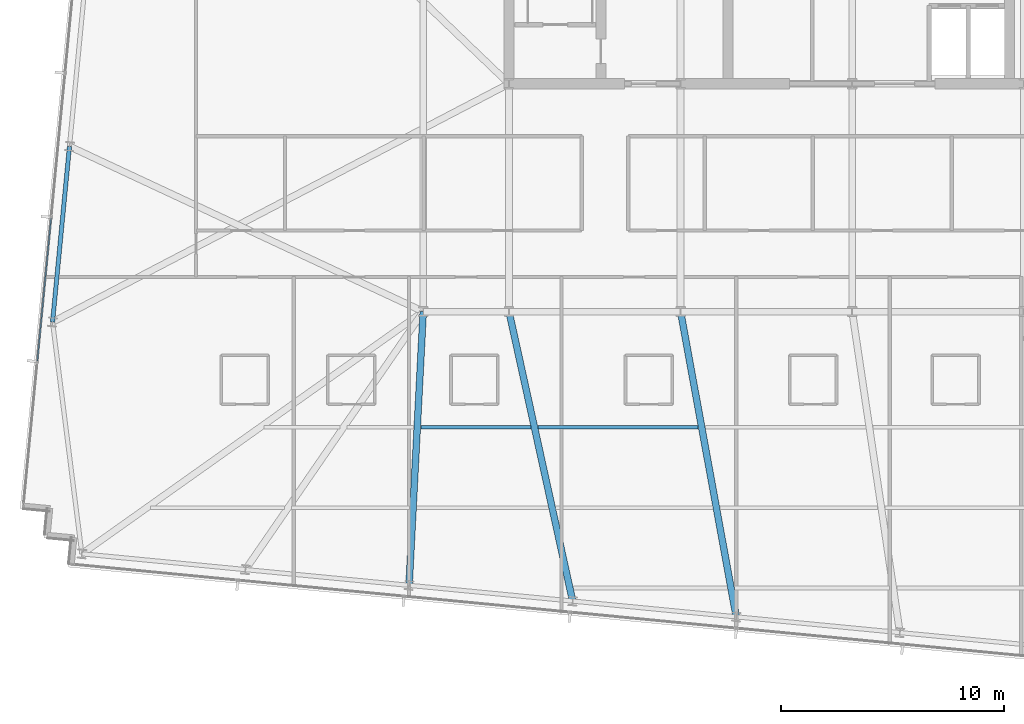
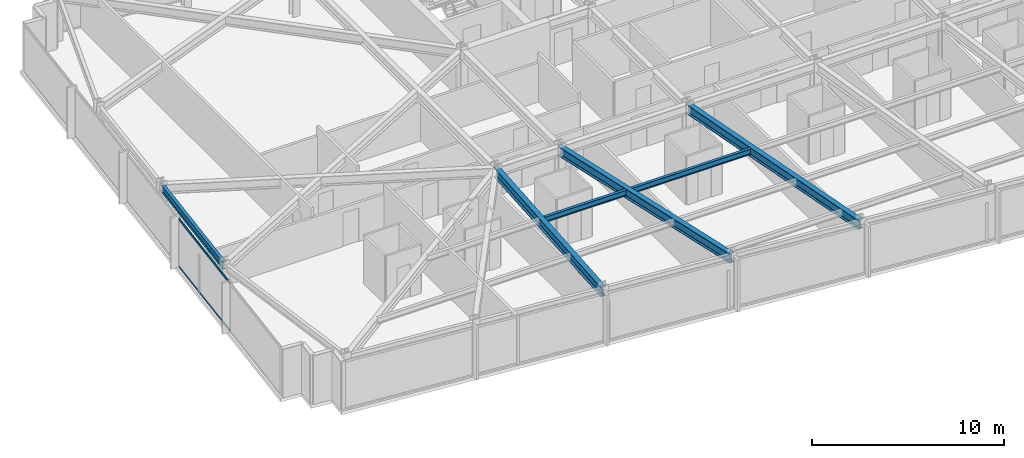
# One storey, part 7 of 37: 6 beams, 2 members, 1 element without a shape of its own.
"""IFC4 building model written with IfcOpenShell, lengths in metres."""

import ifcopenshell
import ifcopenshell.guid

model = None  # the IFC model being written
_history = None  # IfcOwnerHistory: only IFC2X3 demands one
_inside = {}  # id of a spatial element -> (the spatial element, [elements in it])
_under = {}  # id of a project, library or spatial element -> (it, [spatial elements below it])
_declared = {}  # id of a project -> (the project, [libraries it declares])
_typed = {}  # id of a type object -> (the type object, [elements of that type])
_made_of = {}  # id of a material, layer set ... -> (it, [elements and type objects made of it])


def new_model(schema):
    """Start an empty IFC model of exactly this schema.

    Asked for "IFC4X3", IfcOpenShell would pick the latest addendum, in which some entities
    have other attributes; the version numbers below select the first issue.
    IFC2X3 requires an IfcOwnerHistory on every rooted entity: one is made here for all.
    """
    global model, _history
    if schema == "IFC4X3":
        model = ifcopenshell.file(schema_version=(4, 3, 0, 0))
    else:
        model = ifcopenshell.file(schema=schema)
    _inside.clear()
    _under.clear()
    _declared.clear()
    _typed.clear()
    _made_of.clear()
    _history = None
    if model.schema == "IFC2X3":
        org = make("IfcOrganization", Name="unknown")
        user = make(
            "IfcPersonAndOrganization",
            ThePerson=make("IfcPerson", FamilyName="unknown"),
            TheOrganization=org,
        )
        app = make(
            "IfcApplication",
            ApplicationDeveloper=org,
            Version="unknown",
            ApplicationFullName="unknown",
            ApplicationIdentifier="unknown",
        )
        _history = make(
            "IfcOwnerHistory",
            OwningUser=user,
            OwningApplication=app,
            ChangeAction="ADDED",
            CreationDate=0,
        )
    return model


def make(cls, **values):
    """One entity of the class cls with the attributes given. An attribute that is None is left unset."""
    return model.create_entity(
        cls, **{name: value for name, value in values.items() if value is not None}
    )


def rooted(cls, **values):
    """An entity with a GlobalId (a new one), such as an element, a storey or a relation."""
    return make(cls, GlobalId=ifcopenshell.guid.new(), OwnerHistory=_history, **values)


def si_unit(unit_type, name, prefix=None):
    """IfcSIUnit, for example si_unit("LENGTHUNIT", "METRE", prefix="MILLI")."""
    return make("IfcSIUnit", UnitType=unit_type, Prefix=prefix, Name=name)


def assignment(units):
    """IfcUnitAssignment: the units of a project."""
    return None if units is None else make("IfcUnitAssignment", Units=units)


def point(xyz):
    """IfcCartesianPoint."""
    return None if xyz is None else make("IfcCartesianPoint", Coordinates=xyz)


def direction(xyz):
    """IfcDirection."""
    return None if xyz is None else make("IfcDirection", DirectionRatios=xyz)


def frame(location, z_axis=None, x_axis=None):
    """IfcAxis2Placement3D, a coordinate frame: its origin and axes. An axis left out is left unset."""
    return make(
        "IfcAxis2Placement3D",
        Location=point(location),
        Axis=direction(z_axis),
        RefDirection=direction(x_axis),
    )


def frame_2d(location, x_axis=None):
    """IfcAxis2Placement2D, a coordinate frame in the plane: its origin and x axis."""
    return make(
        "IfcAxis2Placement2D", Location=point(location), RefDirection=direction(x_axis)
    )


def origin():
    """The frame at (0, 0, 0) with its axes left unset."""
    return frame((0.0, 0.0, 0.0))


def origin_2d():
    """The frame at (0, 0) in the plane with its x axis left unset."""
    return frame_2d((0.0, 0.0))


def place(relative_to, where):
    """IfcLocalPlacement: puts the frame where relative to a parent placement (None: the world)."""
    return make(
        "IfcLocalPlacement", PlacementRelTo=relative_to, RelativePlacement=where
    )


def context(
    kind, dimensions, precision=None, world=None, true_north=None, identifier=None
):
    """IfcGeometricRepresentationContext, for example the 3D "Model" context."""
    return make(
        "IfcGeometricRepresentationContext",
        ContextIdentifier=identifier,
        ContextType=kind,
        CoordinateSpaceDimension=dimensions,
        Precision=precision,
        WorldCoordinateSystem=world,
        TrueNorth=true_north,
    )


def subcontext(parent, identifier, kind, view, scale=None):
    """IfcGeometricRepresentationSubContext, for example "Body" below "Model"."""
    return make(
        "IfcGeometricRepresentationSubContext",
        ContextIdentifier=identifier,
        ContextType=kind,
        ParentContext=parent,
        TargetScale=scale,
        TargetView=view,
    )


def project(units=None, contexts=None):
    """IfcProject with its units and contexts."""
    return rooted(
        "IfcProject",
        Name="project",
        RepresentationContexts=contexts,
        UnitsInContext=assignment(units),
    )


def spatial(cls, under=None, at=None, **own):
    """A site, building, storey or space (cls), placed at a placement, below another one or the project."""
    s = rooted(cls, ObjectPlacement=at, **own)
    if under is not None:
        _under.setdefault(under.id(), (under, []))[1].append(s)
    return s


def profile(cls, at=None, kind="AREA", **sizes):
    """A parametric profile (cls). Its sizes go by their IFC names, for example OverallWidth=200.0."""
    return make(cls, ProfileType=kind, Position=at, **sizes)


def hollow_rectangle(**sizes):
    """IfcRectangleHollowProfileDef."""
    return profile("IfcRectangleHollowProfileDef", **sizes)


def i_section(**sizes):
    """IfcIShapeProfileDef."""
    return profile("IfcIShapeProfileDef", **sizes)


def extrude(swept, where, along, depth):
    """IfcExtrudedAreaSolid: the profile swept, set in the frame where, extruded along a direction by depth."""
    return make(
        "IfcExtrudedAreaSolid",
        SweptArea=swept,
        Position=where,
        ExtrudedDirection=direction(along),
        Depth=depth,
    )


def shape(context_of_items, identifier, shape_type, items):
    """IfcShapeRepresentation: the items that make up one representation, for example the "Body"."""
    return make(
        "IfcShapeRepresentation",
        ContextOfItems=context_of_items,
        RepresentationIdentifier=identifier,
        RepresentationType=shape_type,
        Items=items,
    )


def material(Name=None, Category=None):
    """IfcMaterial."""
    return make("IfcMaterial", Name=Name, Category=Category)


def material_profile(
    of_material, cross_section, Name=None, Category=None, Priority=None
):
    """IfcMaterialProfile: a cross section and its material."""
    return make(
        "IfcMaterialProfile",
        Name=Name,
        Material=of_material,
        Profile=cross_section,
        Priority=Priority,
        Category=Category,
    )


def profile_set(profiles, Name=None, composite=None):
    """IfcMaterialProfileSet."""
    return make(
        "IfcMaterialProfileSet",
        Name=Name,
        MaterialProfiles=profiles,
        CompositeProfile=composite,
    )


def made_of(thing, what):
    """Note that an element or type object is made of a material, layer set ...; save() writes the relation."""
    if what is not None:
        _made_of.setdefault(what.id(), (what, []))[1].append(thing)
    return thing


def type_object(cls, material=None, **own):
    """A type object (cls), such as IfcWallType, which elements share."""
    return made_of(rooted(cls, **own), material)


def element(
    cls,
    number,
    at=None,
    inside=None,
    cuts=None,
    type_object=None,
    material=None,
    context=None,
    identifier="Body",
    shape_type=None,
    held_by="IfcProductDefinitionShape",
    body=None,
    shapes=None,
    **own,
):
    """One element of the class cls, such as IfcWall. Its Tag is "e" and its number.

    at: its placement. inside: the storey or other place that contains it. cuts: it is an
    opening in that element (IfcRelVoidsElement). A single representation is given by context,
    identifier, shape_type and body (its items); several are given by shapes. held_by: the class
    of the entity that holds the representations. save() writes the other relations.
    """
    e = rooted(cls, Tag="e%d" % number, ObjectPlacement=at, **own)
    if body is not None:
        shapes = [shape(context, identifier, shape_type, body)]
    if shapes is not None:
        e.Representation = make(held_by, Representations=shapes)
    if inside is not None:
        _inside.setdefault(inside.id(), (inside, []))[1].append(e)
    if cuts is not None:
        rooted(
            "IfcRelVoidsElement", RelatingBuildingElement=cuts, RelatedOpeningElement=e
        )
    if type_object is not None:
        _typed.setdefault(type_object.id(), (type_object, []))[1].append(e)
    return made_of(e, material)


def aggregate(whole, parts):
    """IfcRelAggregates: a whole, such as a stair, and the parts it consists of."""
    return rooted("IfcRelAggregates", RelatingObject=whole, RelatedObjects=parts)


def save(model, path):
    """Write the relations noted so far, then the file.

    IfcRelAggregates (storeys below a building ...), IfcRelContainedInSpatialStructure (elements
    in a storey), IfcRelDefinesByType, IfcRelAssociatesMaterial and IfcRelDeclares: one each for
    every whole, place, type object, material and project.
    """
    for whole, parts in _under.values():
        aggregate(whole, parts)
    for where, things in _inside.values():
        rooted(
            "IfcRelContainedInSpatialStructure",
            RelatedElements=things,
            RelatingStructure=where,
        )
    for kind, things in _typed.values():
        rooted("IfcRelDefinesByType", RelatedObjects=things, RelatingType=kind)
    for what, things in _made_of.values():
        rooted("IfcRelAssociatesMaterial", RelatedObjects=things, RelatingMaterial=what)
    for by, libraries in _declared.values():
        rooted("IfcRelDeclares", RelatingContext=by, RelatedDefinitions=libraries)
    model.write(path)


model = new_model("IFC4")

# Units and contexts
model_context = context("Model", 3, precision=1e-05, world=origin(), true_north=direction((0.0, 1.0)))
body_context = subcontext(model_context, "Body", "Model", "MODEL_VIEW")
ifc_project = project(units=[si_unit("LENGTHUNIT", "METRE"), si_unit("AREAUNIT", "SQUARE_METRE"), si_unit("VOLUMEUNIT", "CUBIC_METRE"), si_unit("PLANEANGLEUNIT", "RADIAN"), si_unit("MASSUNIT", "GRAM", prefix="KILO")], contexts=[model_context])

# Site, building, storey
site_placement = place(None, origin())
site = spatial("IfcSite", under=ifc_project, at=site_placement, CompositionType="ELEMENT")
building_placement = place(site_placement, origin())
building = spatial("IfcBuilding", under=site, at=building_placement, Name="Yelkora Congress Tower", CompositionType="ELEMENT")
storey_placement = place(building_placement, frame((0.0, 0.0, 175.39990234375)))
storey = spatial("IfcBuildingStorey", under=building, at=storey_placement, Name="L48", CompositionType="ELEMENT", Elevation=175.39990234375)

# Beams
ifc_material_1 = material(Name="Steel S355J2", Category="steel")
ifc_material_profile_1 = material_profile(ifc_material_1, i_section(OverallWidth=0.300048828125, OverallDepth=0.60009765625, WebThickness=0.015380859375, FlangeThickness=0.030029296875, FilletRadius=0.027099609375, at=origin_2d()), Name="HEB 600")
ifc_profile_set_1 = profile_set([ifc_material_profile_1], Name="Steel S355J2")
beam_type_1 = type_object("IfcBeamType", Name="BM-GIRD-HEB600", PredefinedType="BEAM", material=ifc_profile_set_1)
beam_1_placement = place(storey_placement, frame((18.56591796875, 12.947021484375, 2.780029296875), z_axis=(0.051676299428, 0.99866388744, 0.0), x_axis=(-0.99866388744, 0.051676299428, 0.0)))
element("IfcBeam", 1, at=beam_1_placement, inside=storey, type_object=beam_type_1, Name="L48 Primary Frame Girder S03", PredefinedType="BEAM", context=body_context, shape_type="SweptSolid", body=[
    extrude(i_section(OverallWidth=0.300048828125, OverallDepth=0.60009765625, WebThickness=0.015380859375, FlangeThickness=0.030029296875, FilletRadius=0.027099609375, at=origin_2d()), origin(), (0.0, 0.0, 1.0), 12.269287109375),
])
beam_2_placement = place(storey_placement, frame((25.888916015625, 12.24169921875, 2.780029296875), z_axis=(-0.214722420774, 0.976675115899, 0.0), x_axis=(-0.976675115899, -0.214722420774, 0.0)))
element("IfcBeam", 2, at=beam_2_placement, inside=storey, type_object=beam_type_1, Name="L48 Primary Frame Girder S04", PredefinedType="BEAM", context=body_context, shape_type="SweptSolid", body=[
    extrude(i_section(OverallWidth=0.300048828125, OverallDepth=0.60009765625, WebThickness=0.015380859375, FlangeThickness=0.030029296875, FilletRadius=0.027099609375, at=origin_2d()), origin(), (0.0, 0.0, 1.0), 13.267822265625),
])
beam_3_placement = place(storey_placement, frame((33.21240234375, 11.53662109375, 2.780029296875), z_axis=(-0.179456208566, 0.983765962619, 0.0), x_axis=(-0.983765962619, -0.179456208566, 0.0)))
element("IfcBeam", 3, at=beam_3_placement, inside=storey, type_object=beam_type_1, Name="L48 Primary Frame Girder S05", PredefinedType="BEAM", context=body_context, shape_type="SweptSolid", body=[
    extrude(i_section(OverallWidth=0.300048828125, OverallDepth=0.60009765625, WebThickness=0.015380859375, FlangeThickness=0.030029296875, FilletRadius=0.027099609375, at=origin_2d()), origin(), (0.0, 0.0, 1.0), 13.888916015625),
])
ifc_material_profile_2 = material_profile(ifc_material_1, i_section(OverallWidth=0.169921875, OverallDepth=0.360107421875, WebThickness=0.008056640625, FlangeThickness=0.0126953125, FilletRadius=0.01806640625, at=origin_2d()), Name="IPE 360")
ifc_profile_set_2 = profile_set([ifc_material_profile_2], Name="Steel S355J2")
beam_type_2 = type_object("IfcBeamType", Name="BM-JOIST-IPE360", PredefinedType="JOIST", material=ifc_profile_set_2)
beam_4_placement = place(storey_placement, frame((19.092041015625, 20.021240234375, 2.900146484375), z_axis=(1.0, 0.0, 0.0), x_axis=(0.0, 1.0, 0.0)))
element("IfcBeam", 4, at=beam_4_placement, inside=storey, type_object=beam_type_2, Name="L48 Composite Floor Joist 14", PredefinedType="JOIST", context=body_context, shape_type="SweptSolid", body=[
    extrude(i_section(OverallWidth=0.169921875, OverallDepth=0.360107421875, WebThickness=0.008056640625, FlangeThickness=0.0126953125, FilletRadius=0.01806640625, at=origin_2d()), origin(), (0.0, 0.0, 1.0), 4.926513671875),
])
beam_5_placement = place(storey_placement, frame((24.338623046875, 20.021240234375, 2.900146484375), z_axis=(1.0, 0.0, 0.0), x_axis=(0.0, 1.0, 0.0)))
element("IfcBeam", 5, at=beam_5_placement, inside=storey, type_object=beam_type_2, Name="L48 Composite Floor Joist 15", PredefinedType="JOIST", context=body_context, shape_type="SweptSolid", body=[
    extrude(i_section(OverallWidth=0.169921875, OverallDepth=0.360107421875, WebThickness=0.008056640625, FlangeThickness=0.0126953125, FilletRadius=0.01806640625, at=origin_2d()), origin(), (0.0, 0.0, 1.0), 7.166015625),
])
ifc_material_profile_3 = material_profile(ifc_material_1, i_section(OverallWidth=0.18994140625, OverallDepth=0.449951171875, WebThickness=0.009521484375, FlangeThickness=0.0146484375, FilletRadius=0.02099609375, at=origin_2d()), Name="IPE 450")
ifc_profile_set_3 = profile_set([ifc_material_profile_3], Name="Steel S355J2")
beam_type_3 = type_object("IfcBeamType", Name="BM-SPAN-IPE450", PredefinedType="SPANDREL", material=ifc_profile_set_3)
beam_6_placement = place(storey_placement, frame((3.364501953125, 32.594482421875, 2.85498046875), z_axis=(-0.095831353931, -0.995397584689, 0.0), x_axis=(0.995397584689, -0.095831353931, 0.0)))
element("IfcBeam", 6, at=beam_6_placement, inside=storey, type_object=beam_type_3, Name="L48 Perimeter Beam 18", PredefinedType="SPANDREL", context=body_context, shape_type="SweptSolid", body=[
    extrude(i_section(OverallWidth=0.18994140625, OverallDepth=0.449951171875, WebThickness=0.009521484375, FlangeThickness=0.0146484375, FilletRadius=0.02099609375, at=origin_2d()), origin(), (0.0, 0.0, 1.0), 7.900146484375),
])

# Curtain wall, members
ifc_material_2 = material(Name="Anodised aluminium and insulated glass", Category="aluminium")
curtain_wall_type = type_object("IfcCurtainWallType", Name="CW-SYS-B3", PredefinedType="NOTDEFINED", material=ifc_material_2)
curtain_wall_placement = place(storey_placement, origin())
curtain_wall = element("IfcCurtainWall", 7, at=curtain_wall_placement, inside=storey, type_object=curtain_wall_type, Name="L48 Unitised Curtain Wall 5", PredefinedType="NOTDEFINED")
ifc_material_3 = material(Name="Anodised aluminium 6063-T6", Category="aluminium")
ifc_material_profile_4 = material_profile(ifc_material_3, hollow_rectangle(XDim=0.06005859375, YDim=0.1298828125, WallThickness=0.00390625, at=origin_2d()), Name="ALU 60x130x4")
ifc_profile_set_4 = profile_set([ifc_material_profile_4], Name="Anodised aluminium 6063-T6")
member_type = type_object("IfcMemberType", Name="MEM-TR-B3", PredefinedType="USERDEFINED", material=ifc_profile_set_4)
member_1_placement = place(storey_placement, frame((1.92822265625, 22.996826171875, 0.030029296875), z_axis=(0.095843682057, 0.995396397728, 0.0), x_axis=(-0.995396397728, 0.095843682057, 0.0)))
member_1 = element("IfcMember", 8, at=member_1_placement, type_object=member_type, Name="CW-B3 transom 2.1", ObjectType="TRANSOM", PredefinedType="USERDEFINED", context=body_context, shape_type="SweptSolid", body=[
    extrude(hollow_rectangle(XDim=0.06005859375, YDim=0.1298828125, WallThickness=0.00390625, at=origin_2d()), origin(), (0.0, 0.0, 1.0), 6.4140625),
])
member_2_placement = place(storey_placement, frame((1.92822265625, 22.996826171875, 3.050048828125), z_axis=(0.095843682057, 0.995396397728, 0.0), x_axis=(-0.995396397728, 0.095843682057, 0.0)))
member_2 = element("IfcMember", 9, at=member_2_placement, type_object=member_type, Name="CW-B3 transom 2.2", ObjectType="TRANSOM", PredefinedType="USERDEFINED", context=body_context, shape_type="SweptSolid", body=[
    extrude(hollow_rectangle(XDim=0.06005859375, YDim=0.1298828125, WallThickness=0.00390625, at=origin_2d()), origin(), (0.0, 0.0, 1.0), 6.4140625),
])
aggregate(curtain_wall, [member_1, member_2])

save(model, "model.ifc")
